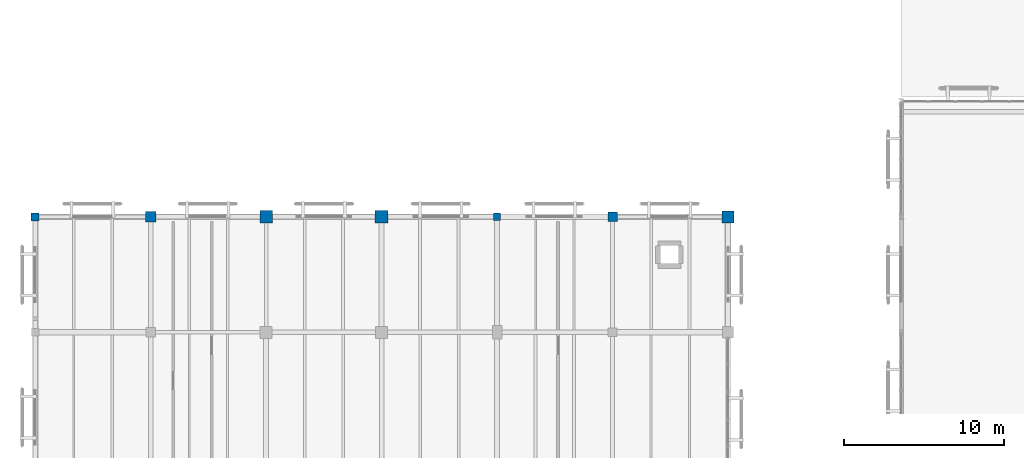
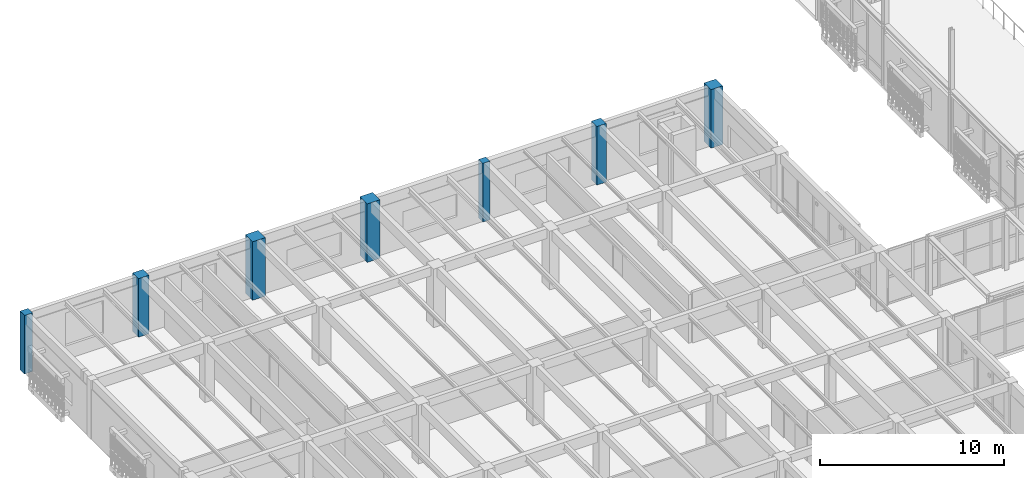
# One storey, part 10 of 170: 7 columns.
"""IFC4 building model written with IfcOpenShell, lengths in metres."""

from ifc_helpers import new_model, si_unit, direction, frame, origin, origin_2d, place, context, subcontext, project, spatial, rectangle, extrude, material, material_profile, profile_set, type_object, element, save


model = new_model("IFC4")

# Units and contexts
model_context = context("Model", 3, precision=1e-05, world=origin(), true_north=direction((0.0, 1.0)))
body_context = subcontext(model_context, "Body", "Model", "MODEL_VIEW")
ifc_project = project(units=[si_unit("LENGTHUNIT", "METRE"), si_unit("AREAUNIT", "SQUARE_METRE"), si_unit("VOLUMEUNIT", "CUBIC_METRE"), si_unit("PLANEANGLEUNIT", "RADIAN"), si_unit("MASSUNIT", "GRAM", prefix="KILO")], contexts=[model_context])

# Site, building, storey
site_placement = place(None, origin())
site = spatial("IfcSite", under=ifc_project, at=site_placement, CompositionType="ELEMENT")
building_placement = place(site_placement, origin())
building = spatial("IfcBuilding", under=site, at=building_placement, Name="Mazaris Harbour Polytechnic", CompositionType="ELEMENT")
storey_placement = place(building_placement, frame((0.0, 0.0, 5.39990234375)))
storey = spatial("IfcBuildingStorey", under=building, at=storey_placement, Name="L01", CompositionType="ELEMENT", Elevation=5.39990234375)

# Columns
ifc_material_1 = material(Name="Concrete C40/50", Category="concrete")
ifc_material_profile_1 = material_profile(ifc_material_1, rectangle(XDim=0.449951171875, YDim=0.449951171875, at=origin_2d()), Name="RECT450x450")
ifc_profile_set_1 = profile_set([ifc_material_profile_1], Name="Concrete C40/50")
column_type_1 = type_object("IfcColumnType", Name="RC Column 450x450 Exterior", PredefinedType="COLUMN", material=ifc_profile_set_1)
column_1_placement = place(storey_placement, frame((28.800048828125, 100.800048828125, 0.0), z_axis=(0.0, 0.0, 1.0), x_axis=(1.0, 0.0, 0.0)))
element("IfcColumn", 1, at=column_1_placement, inside=storey, type_object=column_type_1, Name="V4 L01 Column 789", PredefinedType="COLUMN", context=body_context, shape_type="SweptSolid", body=[
    extrude(rectangle(XDim=0.449951171875, YDim=0.449951171875, at=origin_2d()), origin(), (0.0, 0.0, 1.0), 3.89013671875),
])
ifc_material_2 = material(Name="Concrete C40/50", Category="concrete")
ifc_material_profile_2 = material_profile(ifc_material_2, rectangle(XDim=0.5, YDim=0.5, at=origin_2d()), Name="RECT500x500")
ifc_profile_set_2 = profile_set([ifc_material_profile_2], Name="Concrete C40/50")
column_type_2 = type_object("IfcColumnType", Name="RC Column 500x500 Exterior", PredefinedType="COLUMN", material=ifc_profile_set_2)
column_2_placement = place(storey_placement, frame((0.0, 100.800048828125, 0.0), z_axis=(0.0, 0.0, 1.0), x_axis=(1.0, 0.0, 0.0)))
element("IfcColumn", 2, at=column_2_placement, inside=storey, type_object=column_type_2, Name="V4 L01 Column 740", PredefinedType="COLUMN", context=body_context, shape_type="SweptSolid", body=[
    extrude(rectangle(XDim=0.5, YDim=0.5, at=origin_2d()), origin(), (0.0, 0.0, 1.0), 3.89013671875),
])
ifc_material_3 = material(Name="Concrete C40/50", Category="concrete")
ifc_material_profile_3 = material_profile(ifc_material_3, rectangle(XDim=0.60009765625, YDim=0.60009765625, at=origin_2d()), Name="RECT600x600")
ifc_profile_set_3 = profile_set([ifc_material_profile_3], Name="Concrete C40/50")
column_type_3 = type_object("IfcColumnType", Name="RC Column 600x600 Exterior", PredefinedType="COLUMN", material=ifc_profile_set_3)
column_3_placement = place(storey_placement, frame((36.0, 100.800048828125, 0.0), z_axis=(0.0, 0.0, 1.0), x_axis=(1.0, 0.0, 0.0)))
element("IfcColumn", 3, at=column_3_placement, inside=storey, type_object=column_type_3, Name="V4 L01 Column 802", PredefinedType="COLUMN", context=body_context, shape_type="SweptSolid", body=[
    extrude(rectangle(XDim=0.60009765625, YDim=0.60009765625, at=origin_2d()), origin(), (0.0, 0.0, 1.0), 3.89013671875),
])
ifc_material_4 = material(Name="Concrete C40/50", Category="concrete")
ifc_material_profile_4 = material_profile(ifc_material_4, rectangle(XDim=0.64990234375, YDim=0.64990234375, at=origin_2d()), Name="RECT650x650")
ifc_profile_set_4 = profile_set([ifc_material_profile_4], Name="Concrete C40/50")
column_type_4 = type_object("IfcColumnType", Name="RC Column 650x650 Exterior", PredefinedType="COLUMN", material=ifc_profile_set_4)
column_4_placement = place(storey_placement, frame((7.199951171875, 100.800048828125, 0.0), z_axis=(0.0, 0.0, 1.0), x_axis=(1.0, 0.0, 0.0)))
element("IfcColumn", 4, at=column_4_placement, inside=storey, type_object=column_type_4, Name="V4 L01 Column 753", PredefinedType="COLUMN", context=body_context, shape_type="SweptSolid", body=[
    extrude(rectangle(XDim=0.64990234375, YDim=0.64990234375, at=origin_2d()), origin(), (0.0, 0.0, 1.0), 3.89013671875),
])
ifc_material_5 = material(Name="Concrete C40/50", Category="concrete")
ifc_material_profile_5 = material_profile(ifc_material_5, rectangle(XDim=0.75, YDim=0.75, at=origin_2d()), Name="RECT750x750")
ifc_profile_set_5 = profile_set([ifc_material_profile_5], Name="Concrete C40/50")
column_type_5 = type_object("IfcColumnType", Name="RC Column 750x750 Exterior", PredefinedType="COLUMN", material=ifc_profile_set_5)
column_5_placement = place(storey_placement, frame((43.199951171875, 100.800048828125, 0.0), z_axis=(0.0, 0.0, 1.0), x_axis=(1.0, 0.0, 0.0)))
element("IfcColumn", 5, at=column_5_placement, inside=storey, type_object=column_type_5, Name="V4 L01 Column 815", PredefinedType="COLUMN", context=body_context, shape_type="SweptSolid", body=[
    extrude(rectangle(XDim=0.75, YDim=0.75, at=origin_2d()), origin(), (0.0, 0.0, 1.0), 3.89013671875),
])
ifc_material_6 = material(Name="Concrete C40/50", Category="concrete")
ifc_material_profile_6 = material_profile(ifc_material_6, rectangle(XDim=0.800048828125, YDim=0.800048828125, at=origin_2d()), Name="RECT800x800")
ifc_profile_set_6 = profile_set([ifc_material_profile_6], Name="Concrete C40/50")
column_type_6 = type_object("IfcColumnType", Name="RC Column 800x800 Exterior", PredefinedType="COLUMN", material=ifc_profile_set_6)
for number, where, z_axis, x_axis, name in (
    (6, (14.39990234375, 100.800048828125, 0.0), (0.0, 0.0, 1.0), (1.0, 0.0, 0.0), "V4 L01 Column 766"),
    (7, (21.60009765625, 100.800048828125, 0.0), (0.0, 0.0, 1.0), (1.0, 0.0, 0.0), "V4 L01 Column 776"),
):
    element("IfcColumn", number, at=place(storey_placement, frame(where, z_axis=z_axis, x_axis=x_axis)), inside=storey, type_object=column_type_6, Name=name, PredefinedType="COLUMN", context=body_context, shape_type="SweptSolid", body=[
        extrude(rectangle(XDim=0.800048828125, YDim=0.800048828125, at=origin_2d()), origin(), (0.0, 0.0, 1.0), 3.89013671875),
    ])

save(model, "model.ifc")
